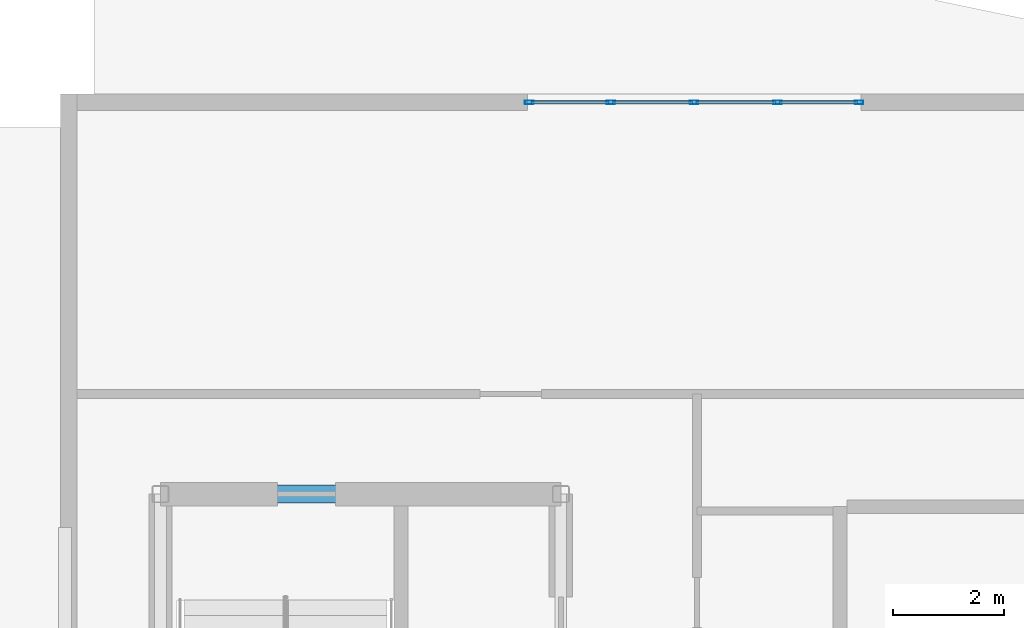
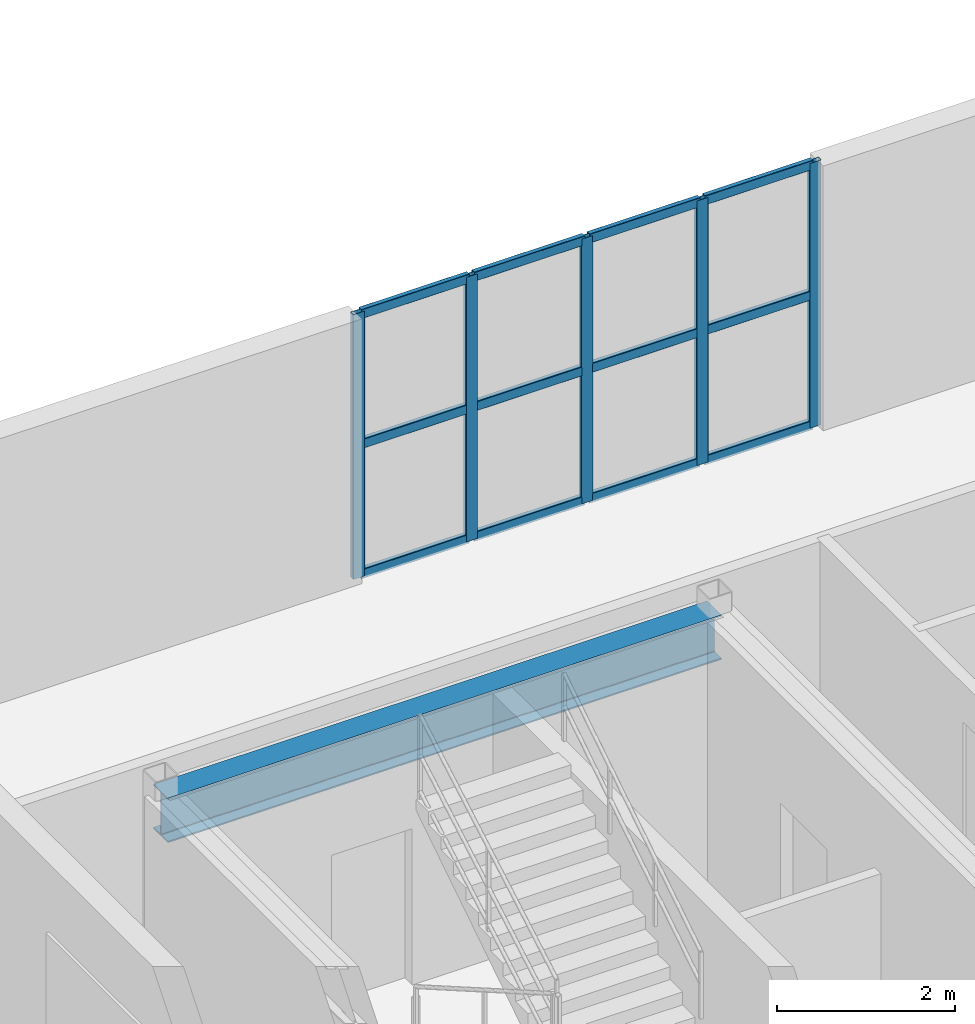
# One storey, part 3 of 9: 17 members, 1 beam, 1 element without a shape of its own.
"""IFC4 building model written with IfcOpenShell, lengths in metres."""

from ifc_helpers import new_model, entity, si_unit, converted_unit, direction, frame, origin_with_axes, origin_2d_with_axis, place, context, subcontext, project, spatial, hollow_rectangle, i_section, extrude, material, material_profile, profile_set, type_object, element, aggregate, save


model = new_model("IFC4")

# Units and contexts
model_context = context("Model", 3, precision=1e-05, world=origin_with_axes(), true_north=direction((0.0, 1.0)))
body_context = subcontext(model_context, "Body", "Model", "MODEL_VIEW")
ifc_project = project(units=[si_unit("LENGTHUNIT", "METRE"), si_unit("AREAUNIT", "SQUARE_METRE"), si_unit("VOLUMEUNIT", "CUBIC_METRE"), converted_unit("PLANEANGLEUNIT", "DEGREE", entity("IfcPlaneAngleMeasure", 0.017453292519943295), si_unit("PLANEANGLEUNIT", "RADIAN"), dimensions=[0, 0, 0, 0, 0, 0, 0]), si_unit("MASSUNIT", "GRAM", prefix="KILO"), si_unit("THERMODYNAMICTEMPERATUREUNIT", "KELVIN")], contexts=[model_context])

# Site, building, storey
site_placement = place(None, origin_with_axes())
site = spatial("IfcSite", under=ifc_project, at=site_placement, CompositionType="ELEMENT")
building_placement = place(site_placement, origin_with_axes())
building = spatial("IfcBuilding", under=site, at=building_placement, Name="Varnlund Millrace Tower", CompositionType="ELEMENT")
storey_placement = place(building_placement, frame((0.0, 0.0, 308.7), z_axis=(0.0, 0.0, 1.0), x_axis=(1.0, 0.0, 0.0)))
storey = spatial("IfcBuildingStorey", under=building, at=storey_placement, Name="L76", CompositionType="ELEMENT", Elevation=308.7)

# Curtain wall, members
ifc_material_1 = material(Name="Thermally broken architectural bronze curtain wall", Category="aluminium")
curtain_wall_type = type_object("IfcCurtainWallType", Name="Type-CW-Sys6-Observatory", PredefinedType="NOTDEFINED", material=ifc_material_1)
curtain_wall_placement = place(storey_placement, frame((18.0, 44.85, 0.0), z_axis=(0.0, 0.0, 1.0), x_axis=(1.0, 0.0, 0.0)))
curtain_wall = element("IfcCurtainWall", 1, at=curtain_wall_placement, inside=storey, type_object=curtain_wall_type, Name="Type-CW-Sys6-Observatory", PredefinedType="NOTDEFINED")
ifc_material_2 = material(Name="Architectural bronze aluminium alloy 6063-T6", Category="aluminium")
ifc_material_profile_1 = material_profile(ifc_material_2, hollow_rectangle(XDim=0.065, YDim=0.155, WallThickness=0.0045, InnerFilletRadius=0.004, OuterFilletRadius=0.009, at=origin_2d_with_axis()), Name="Architectural bronze aluminium alloy 6063-T6")
ifc_profile_set_1 = profile_set([ifc_material_profile_1], Name="Architectural bronze aluminium alloy 6063-T6")
member_type_1 = type_object("IfcMemberType", Name="Type-CW-Mullion-65X155", PredefinedType="MULLION", material=ifc_profile_set_1)
member_1_placement = place(storey_placement, frame((18.0325, 44.85, 0.0), z_axis=(0.0, 0.0, 1.0), x_axis=(0.0, 1.0, 0.0)))
member_1 = element("IfcMember", 2, at=member_1_placement, type_object=member_type_1, Name="CW-06 mullion 1", PredefinedType="MULLION", context=body_context, shape_type="SweptSolid", body=[
    extrude(hollow_rectangle(XDim=0.065, YDim=0.155, WallThickness=0.0045, InnerFilletRadius=0.004, OuterFilletRadius=0.009, at=origin_2d_with_axis()), origin_with_axes(), (0.0, 0.0, 1.0), 3.64),
])
member_2_placement = place(storey_placement, frame((19.5, 44.85, 0.0), z_axis=(0.0, 0.0, 1.0), x_axis=(0.0, 1.0, 0.0)))
member_2 = element("IfcMember", 3, at=member_2_placement, type_object=member_type_1, Name="CW-06 mullion 2", PredefinedType="MULLION", context=body_context, shape_type="SweptSolid", body=[
    extrude(hollow_rectangle(XDim=0.065, YDim=0.155, WallThickness=0.0045, InnerFilletRadius=0.004, OuterFilletRadius=0.009, at=origin_2d_with_axis()), origin_with_axes(), (0.0, 0.0, 1.0), 3.64),
])
member_3_placement = place(storey_placement, frame((21.0, 44.85, 0.0), z_axis=(0.0, 0.0, 1.0), x_axis=(0.0, 1.0, 0.0)))
member_3 = element("IfcMember", 4, at=member_3_placement, type_object=member_type_1, Name="CW-06 mullion 3", PredefinedType="MULLION", context=body_context, shape_type="SweptSolid", body=[
    extrude(hollow_rectangle(XDim=0.065, YDim=0.155, WallThickness=0.0045, InnerFilletRadius=0.004, OuterFilletRadius=0.009, at=origin_2d_with_axis()), origin_with_axes(), (0.0, 0.0, 1.0), 3.64),
])
member_4_placement = place(storey_placement, frame((22.5, 44.85, 0.0), z_axis=(0.0, 0.0, 1.0), x_axis=(0.0, 1.0, 0.0)))
member_4 = element("IfcMember", 5, at=member_4_placement, type_object=member_type_1, Name="CW-06 mullion 4", PredefinedType="MULLION", context=body_context, shape_type="SweptSolid", body=[
    extrude(hollow_rectangle(XDim=0.065, YDim=0.155, WallThickness=0.0045, InnerFilletRadius=0.004, OuterFilletRadius=0.009, at=origin_2d_with_axis()), origin_with_axes(), (0.0, 0.0, 1.0), 3.64),
])
member_5_placement = place(storey_placement, frame((23.9675, 44.85, 0.0), z_axis=(0.0, 0.0, 1.0), x_axis=(0.0, 1.0, 0.0)))
member_5 = element("IfcMember", 6, at=member_5_placement, type_object=member_type_1, Name="CW-06 mullion 5", PredefinedType="MULLION", context=body_context, shape_type="SweptSolid", body=[
    extrude(hollow_rectangle(XDim=0.065, YDim=0.155, WallThickness=0.0045, InnerFilletRadius=0.004, OuterFilletRadius=0.009, at=origin_2d_with_axis()), origin_with_axes(), (0.0, 0.0, 1.0), 3.64),
])
ifc_material_profile_2 = material_profile(ifc_material_2, hollow_rectangle(XDim=0.065, YDim=0.13, WallThickness=0.0045, InnerFilletRadius=0.004, OuterFilletRadius=0.009, at=origin_2d_with_axis()), Name="Architectural bronze aluminium alloy 6063-T6")
ifc_profile_set_2 = profile_set([ifc_material_profile_2], Name="Architectural bronze aluminium alloy 6063-T6")
member_type_2 = type_object("IfcMemberType", Name="Type-CW-Transom-65X130", PredefinedType="USERDEFINED", material=ifc_profile_set_2)
member_6_placement = place(storey_placement, frame((18.065, 44.85, 0.0325), z_axis=(1.0, 0.0, 0.0), x_axis=(0.0, 1.0, 0.0)))
member_6 = element("IfcMember", 7, at=member_6_placement, type_object=member_type_2, Name="CW-06 transom 1.1", ObjectType="TRANSOM", PredefinedType="USERDEFINED", context=body_context, shape_type="SweptSolid", body=[
    extrude(hollow_rectangle(XDim=0.065, YDim=0.13, WallThickness=0.0045, InnerFilletRadius=0.004, OuterFilletRadius=0.009, at=origin_2d_with_axis()), origin_with_axes(), (0.0, 0.0, 1.0), 1.4025),
])
member_7_placement = place(storey_placement, frame((18.065, 44.85, 1.82), z_axis=(1.0, 0.0, 0.0), x_axis=(0.0, 1.0, 0.0)))
member_7 = element("IfcMember", 8, at=member_7_placement, type_object=member_type_2, Name="CW-06 transom 1.2", ObjectType="TRANSOM", PredefinedType="USERDEFINED", context=body_context, shape_type="SweptSolid", body=[
    extrude(hollow_rectangle(XDim=0.065, YDim=0.13, WallThickness=0.0045, InnerFilletRadius=0.004, OuterFilletRadius=0.009, at=origin_2d_with_axis()), origin_with_axes(), (0.0, 0.0, 1.0), 1.4025),
])
member_8_placement = place(storey_placement, frame((18.065, 44.85, 3.6075), z_axis=(1.0, 0.0, 0.0), x_axis=(0.0, 1.0, 0.0)))
member_8 = element("IfcMember", 9, at=member_8_placement, type_object=member_type_2, Name="CW-06 transom 1.3", ObjectType="TRANSOM", PredefinedType="USERDEFINED", context=body_context, shape_type="SweptSolid", body=[
    extrude(hollow_rectangle(XDim=0.065, YDim=0.13, WallThickness=0.0045, InnerFilletRadius=0.004, OuterFilletRadius=0.009, at=origin_2d_with_axis()), origin_with_axes(), (0.0, 0.0, 1.0), 1.4025),
])
member_9_placement = place(storey_placement, frame((19.5325, 44.85, 0.0325), z_axis=(1.0, 0.0, 0.0), x_axis=(0.0, 1.0, 0.0)))
member_9 = element("IfcMember", 10, at=member_9_placement, type_object=member_type_2, Name="CW-06 transom 2.1", ObjectType="TRANSOM", PredefinedType="USERDEFINED", context=body_context, shape_type="SweptSolid", body=[
    extrude(hollow_rectangle(XDim=0.065, YDim=0.13, WallThickness=0.0045, InnerFilletRadius=0.004, OuterFilletRadius=0.009, at=origin_2d_with_axis()), origin_with_axes(), (0.0, 0.0, 1.0), 1.435),
])
member_10_placement = place(storey_placement, frame((19.5325, 44.85, 1.82), z_axis=(1.0, 0.0, 0.0), x_axis=(0.0, 1.0, 0.0)))
member_10 = element("IfcMember", 11, at=member_10_placement, type_object=member_type_2, Name="CW-06 transom 2.2", ObjectType="TRANSOM", PredefinedType="USERDEFINED", context=body_context, shape_type="SweptSolid", body=[
    extrude(hollow_rectangle(XDim=0.065, YDim=0.13, WallThickness=0.0045, InnerFilletRadius=0.004, OuterFilletRadius=0.009, at=origin_2d_with_axis()), origin_with_axes(), (0.0, 0.0, 1.0), 1.435),
])
member_11_placement = place(storey_placement, frame((19.5325, 44.85, 3.6075), z_axis=(1.0, 0.0, 0.0), x_axis=(0.0, 1.0, 0.0)))
member_11 = element("IfcMember", 12, at=member_11_placement, type_object=member_type_2, Name="CW-06 transom 2.3", ObjectType="TRANSOM", PredefinedType="USERDEFINED", context=body_context, shape_type="SweptSolid", body=[
    extrude(hollow_rectangle(XDim=0.065, YDim=0.13, WallThickness=0.0045, InnerFilletRadius=0.004, OuterFilletRadius=0.009, at=origin_2d_with_axis()), origin_with_axes(), (0.0, 0.0, 1.0), 1.435),
])
member_12_placement = place(storey_placement, frame((21.0325, 44.85, 0.0325), z_axis=(1.0, 0.0, 0.0), x_axis=(0.0, 1.0, 0.0)))
member_12 = element("IfcMember", 13, at=member_12_placement, type_object=member_type_2, Name="CW-06 transom 3.1", ObjectType="TRANSOM", PredefinedType="USERDEFINED", context=body_context, shape_type="SweptSolid", body=[
    extrude(hollow_rectangle(XDim=0.065, YDim=0.13, WallThickness=0.0045, InnerFilletRadius=0.004, OuterFilletRadius=0.009, at=origin_2d_with_axis()), origin_with_axes(), (0.0, 0.0, 1.0), 1.435),
])
member_13_placement = place(storey_placement, frame((21.0325, 44.85, 1.82), z_axis=(1.0, 0.0, 0.0), x_axis=(0.0, 1.0, 0.0)))
member_13 = element("IfcMember", 14, at=member_13_placement, type_object=member_type_2, Name="CW-06 transom 3.2", ObjectType="TRANSOM", PredefinedType="USERDEFINED", context=body_context, shape_type="SweptSolid", body=[
    extrude(hollow_rectangle(XDim=0.065, YDim=0.13, WallThickness=0.0045, InnerFilletRadius=0.004, OuterFilletRadius=0.009, at=origin_2d_with_axis()), origin_with_axes(), (0.0, 0.0, 1.0), 1.435),
])
member_14_placement = place(storey_placement, frame((21.0325, 44.85, 3.6075), z_axis=(1.0, 0.0, 0.0), x_axis=(0.0, 1.0, 0.0)))
member_14 = element("IfcMember", 15, at=member_14_placement, type_object=member_type_2, Name="CW-06 transom 3.3", ObjectType="TRANSOM", PredefinedType="USERDEFINED", context=body_context, shape_type="SweptSolid", body=[
    extrude(hollow_rectangle(XDim=0.065, YDim=0.13, WallThickness=0.0045, InnerFilletRadius=0.004, OuterFilletRadius=0.009, at=origin_2d_with_axis()), origin_with_axes(), (0.0, 0.0, 1.0), 1.435),
])
member_15_placement = place(storey_placement, frame((22.5325, 44.85, 0.0325), z_axis=(1.0, 0.0, 0.0), x_axis=(0.0, 1.0, 0.0)))
member_15 = element("IfcMember", 16, at=member_15_placement, type_object=member_type_2, Name="CW-06 transom 4.1", ObjectType="TRANSOM", PredefinedType="USERDEFINED", context=body_context, shape_type="SweptSolid", body=[
    extrude(hollow_rectangle(XDim=0.065, YDim=0.13, WallThickness=0.0045, InnerFilletRadius=0.004, OuterFilletRadius=0.009, at=origin_2d_with_axis()), origin_with_axes(), (0.0, 0.0, 1.0), 1.4025),
])
member_16_placement = place(storey_placement, frame((22.5325, 44.85, 1.82), z_axis=(1.0, 0.0, 0.0), x_axis=(0.0, 1.0, 0.0)))
member_16 = element("IfcMember", 17, at=member_16_placement, type_object=member_type_2, Name="CW-06 transom 4.2", ObjectType="TRANSOM", PredefinedType="USERDEFINED", context=body_context, shape_type="SweptSolid", body=[
    extrude(hollow_rectangle(XDim=0.065, YDim=0.13, WallThickness=0.0045, InnerFilletRadius=0.004, OuterFilletRadius=0.009, at=origin_2d_with_axis()), origin_with_axes(), (0.0, 0.0, 1.0), 1.4025),
])
member_17_placement = place(storey_placement, frame((22.5325, 44.85, 3.6075), z_axis=(1.0, 0.0, 0.0), x_axis=(0.0, 1.0, 0.0)))
member_17 = element("IfcMember", 18, at=member_17_placement, type_object=member_type_2, Name="CW-06 transom 4.3", ObjectType="TRANSOM", PredefinedType="USERDEFINED", context=body_context, shape_type="SweptSolid", body=[
    extrude(hollow_rectangle(XDim=0.065, YDim=0.13, WallThickness=0.0045, InnerFilletRadius=0.004, OuterFilletRadius=0.009, at=origin_2d_with_axis()), origin_with_axes(), (0.0, 0.0, 1.0), 1.4025),
])
aggregate(curtain_wall, [member_1, member_2, member_3, member_4, member_5, member_6, member_7, member_8, member_9, member_10, member_11, member_12, member_13, member_14, member_15, member_16, member_17])

# Beam
ifc_material_3 = material(Name="Steel ASTM A992 Grade 50", Category="steel")
ifc_material_profile_3 = material_profile(ifc_material_3, i_section(OverallWidth=0.324, OverallDepth=0.611, WebThickness=0.0127, FlangeThickness=0.0191, FilletRadius=0.016, at=origin_2d_with_axis()), Name="Steel ASTM A992 Grade 50")
ifc_profile_set_3 = profile_set([ifc_material_profile_3], Name="Steel ASTM A992 Grade 50")
beam_type = type_object("IfcBeamType", Name="Type-Girder-W24X104", PredefinedType="USERDEFINED", material=ifc_profile_set_3)
beam_placement = place(storey_placement, frame((11.4, 37.8, 3.3345), z_axis=(1.0, 0.0, 0.0), x_axis=(0.0, 1.0, 0.0)))
element("IfcBeam", 19, at=beam_placement, inside=storey, type_object=beam_type, Name="Type-Girder-W24X104", ObjectType="GIRDER", PredefinedType="USERDEFINED", context=body_context, shape_type="SweptSolid", body=[
    extrude(i_section(OverallWidth=0.324, OverallDepth=0.611, WebThickness=0.0127, FlangeThickness=0.0191, FilletRadius=0.016, at=origin_2d_with_axis()), origin_with_axes(), (0.0, 0.0, 1.0), 7.2),
])

save(model, "model.ifc")
